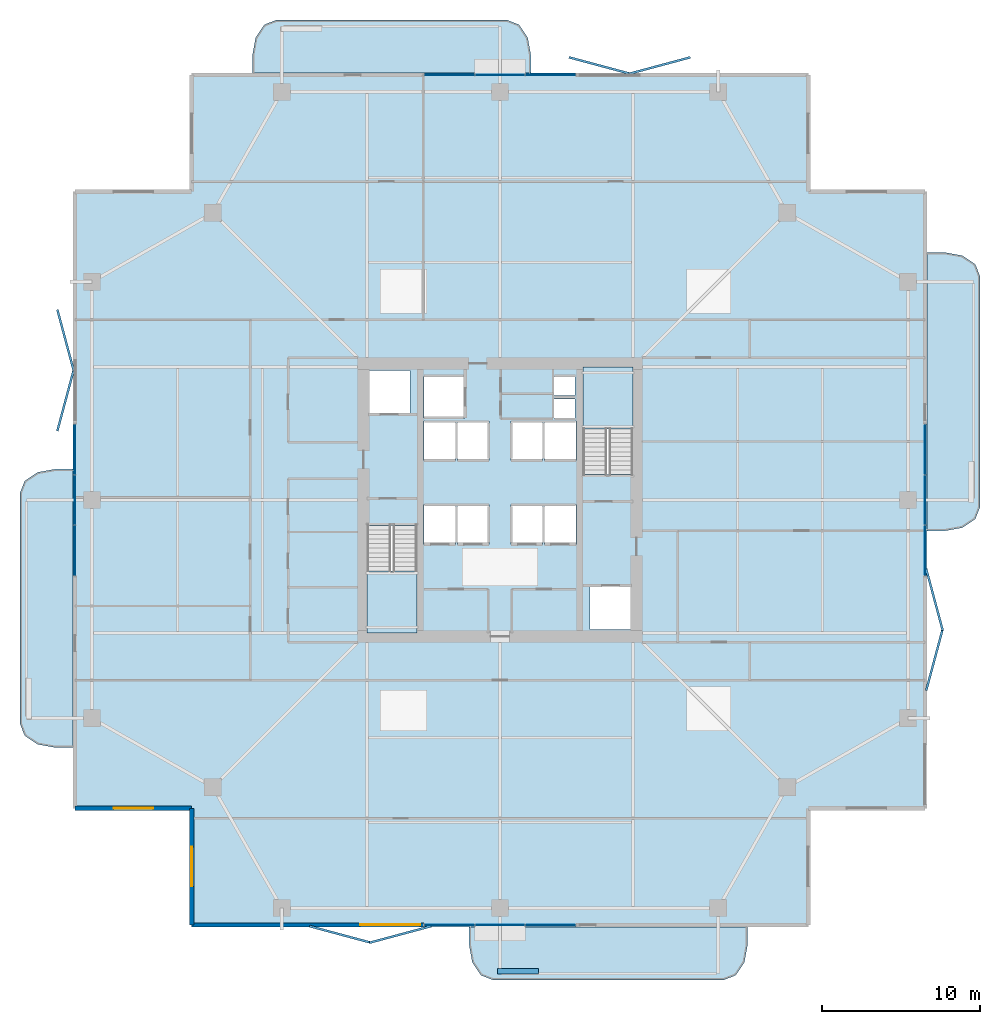
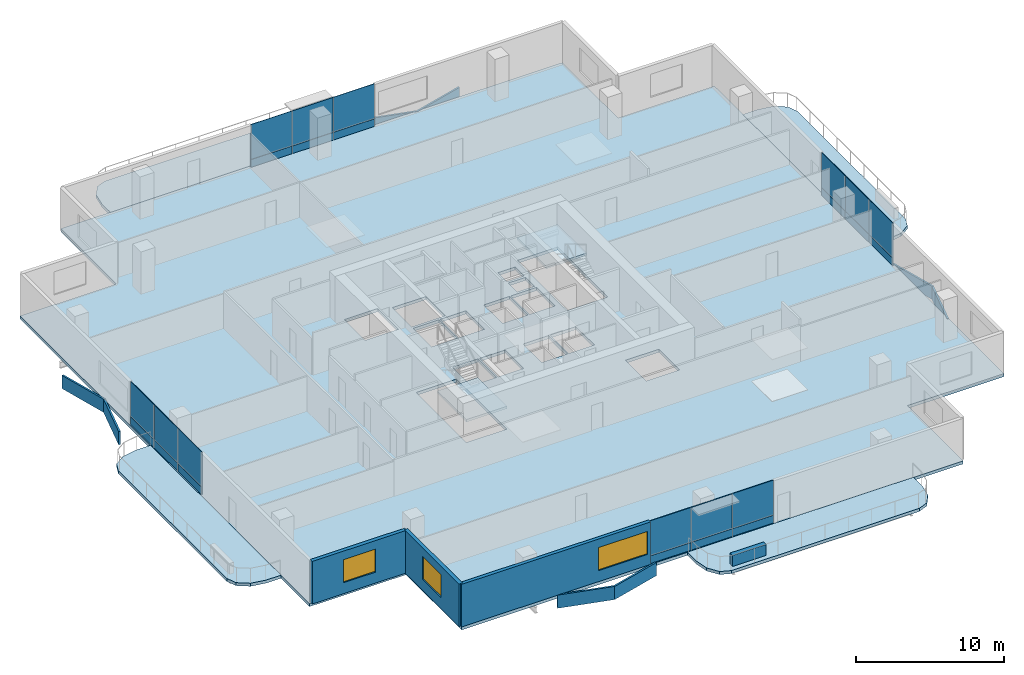
# One storey, part 16 of 24: 32 plates, 7 slabs, 4 walls, 3 windows, 3 openings, 6 elements without a shape of their own.
"""IFC4 building model written with IfcOpenShell, lengths in metres."""

from ifc_helpers import new_model, si_unit, direction, frame, frame_2d, origin, origin_2d, place, context, subcontext, project, spatial, polyline, rectangle, outline, extrude, material, layer, layer_set, type_object, element, fill, aggregate, save


model = new_model("IFC4")

# Units and contexts
model_context = context("Model", 3, precision=1e-05, world=origin(), true_north=direction((0.0, 1.0)))
body_context = subcontext(model_context, "Body", "Model", "MODEL_VIEW")
ifc_project = project(units=[si_unit("LENGTHUNIT", "METRE"), si_unit("AREAUNIT", "SQUARE_METRE"), si_unit("VOLUMEUNIT", "CUBIC_METRE"), si_unit("PLANEANGLEUNIT", "RADIAN"), si_unit("MASSUNIT", "GRAM", prefix="KILO")], contexts=[model_context])

# Site, building, storey
site_placement = place(None, origin())
site = spatial("IfcSite", under=ifc_project, at=site_placement, CompositionType="ELEMENT")
building_placement = place(site_placement, origin())
building = spatial("IfcBuilding", under=site, at=building_placement, Name="Belovzor Exchange Tower", CompositionType="ELEMENT")
storey_placement = place(building_placement, frame((0.0, 0.0, 222.449951171875)))
storey = spatial("IfcBuildingStorey", under=building, at=storey_placement, Name="L55", CompositionType="ELEMENT", Elevation=222.449951171875)

# Slab
ifc_material_1 = material(Name="Concrete C40/50", Category="concrete")
ifc_layer_1 = layer(ifc_material_1, 0.25)
ifc_layer_set_1 = layer_set([ifc_layer_1], Name="Concrete C40/50")
slab_type_1 = type_object("IfcSlabType", Name="Composite Concrete Floor Deck Slab 250", PredefinedType="FLOOR", material=ifc_layer_set_1)
slab_1_placement = place(storey_placement, frame((0.0, 0.0, -0.25)))
element("IfcSlab", 1, at=slab_1_placement, inside=storey, type_object=slab_type_1, Name="SL-F250 Structural Slab L55", PredefinedType="FLOOR", context=body_context, shape_type="SweptSolid", body=[
    extrude(outline(polyline([(9.300048828125, 1.800048828125), (48.300048828125, 1.800048828125), (48.300048828125, 9.300048828125), (55.800048828125, 9.300048828125), (55.800048828125, 48.300048828125), (48.300048828125, 48.300048828125), (48.300048828125, 55.800048828125), (9.300048828125, 55.800048828125), (9.300048828125, 48.300048828125), (1.800048828125, 48.300048828125), (1.800048828125, 9.300048828125), (9.300048828125, 9.300048828125), (9.300048828125, 1.800048828125)]), holes=[polyline([(20.39990234375, 27.175048828125), (20.39990234375, 20.39990234375), (23.550048828125, 20.39990234375), (23.550048828125, 27.175048828125), (20.39990234375, 27.175048828125)]), polyline([(37.199951171875, 30.425048828125), (37.199951171875, 37.199951171875), (34.050048828125, 37.199951171875), (34.050048828125, 30.425048828125), (37.199951171875, 30.425048828125)]), polyline([(20.5, 34.199951171875), (23.10009765625, 34.199951171875), (23.10009765625, 37.0), (20.5, 37.0), (20.5, 34.199951171875)]), polyline([(34.5, 20.60009765625), (37.10009765625, 20.60009765625), (37.10009765625, 23.39990234375), (34.5, 23.39990234375), (34.5, 20.60009765625)]), polyline([(24.0, 34.0), (26.60009765625, 34.0), (26.60009765625, 36.60009765625), (24.0, 36.60009765625), (24.0, 34.0)]), polyline([(24.0, 26.0), (26.0, 26.0), (26.0, 28.5), (24.0, 28.5), (24.0, 26.0)]), polyline([(26.10009765625, 26.0), (28.10009765625, 26.0), (28.10009765625, 28.5), (26.10009765625, 28.5), (26.10009765625, 26.0)]), polyline([(29.5, 26.0), (31.5, 26.0), (31.5, 28.5), (29.5, 28.5), (29.5, 26.0)]), polyline([(31.60009765625, 26.0), (33.60009765625, 26.0), (33.60009765625, 28.5), (31.60009765625, 28.5), (31.60009765625, 26.0)]), polyline([(24.0, 31.300048828125), (26.0, 31.300048828125), (26.0, 33.800048828125), (24.0, 33.800048828125), (24.0, 31.300048828125)]), polyline([(26.10009765625, 31.300048828125), (28.10009765625, 31.300048828125), (28.10009765625, 33.800048828125), (26.10009765625, 33.800048828125), (26.10009765625, 31.300048828125)]), polyline([(29.5, 31.300048828125), (31.5, 31.300048828125), (31.5, 33.800048828125), (29.5, 33.800048828125), (29.5, 31.300048828125)]), polyline([(31.60009765625, 31.300048828125), (33.60009765625, 31.300048828125), (33.60009765625, 33.800048828125), (31.60009765625, 33.800048828125), (31.60009765625, 31.300048828125)]), polyline([(32.199951171875, 34.0), (33.550048828125, 34.0), (33.550048828125, 35.199951171875), (32.199951171875, 35.199951171875), (32.199951171875, 34.0)]), polyline([(32.199951171875, 35.39990234375), (33.550048828125, 35.39990234375), (33.550048828125, 36.60009765625), (32.199951171875, 36.60009765625), (32.199951171875, 35.39990234375)])]), origin(), (0.0, 0.0, 1.0), 0.25),
])

# Curtain wall, plates
ifc_material_2 = material(Name="Anodised Aluminium Framing", Category="aluminium")
ifc_layer_2 = layer(ifc_material_2, 0.179931640625)
ifc_layer_set_2 = layer_set([ifc_layer_2], Name="Anodised Aluminium Framing")
curtain_wall_type = type_object("IfcCurtainWallType", Name="Recessed Loggia Low-Iron Triple-Glazed Curtain Wall", PredefinedType="NOTDEFINED", material=ifc_layer_set_2)
curtain_wall_1_placement = place(storey_placement, origin())
curtain_wall_1 = element("IfcCurtainWall", 2, at=curtain_wall_1_placement, inside=storey, type_object=curtain_wall_type, Name="CW3 Recessed Loggia Low-Iron Triple-Glazed Curtain Wall L55", PredefinedType="NOTDEFINED")
ifc_material_3 = material(Name="Solar-Control Triple Glazing", Category="glass")
ifc_layer_3 = layer(ifc_material_3, 0.0439453125)
ifc_layer_set_3 = layer_set([ifc_layer_3], Name="Solar-Control Triple Glazing")
plate_type_1 = type_object("IfcPlateType", Name="Insulated Solar Glazing Curtain Panel 44", PredefinedType="CURTAIN_PANEL", material=ifc_layer_set_3)
plate_1_placement = place(storey_placement, frame((32.0, 1.929931640625, 0.63232421875), z_axis=(0.0, 0.0, 1.0), x_axis=(-1.0, 0.0, 0.0)))
plate_1 = element("IfcPlate", 3, at=plate_1_placement, type_object=plate_type_1, Name="GLZ-44 Glazed Curtain Panel 1", PredefinedType="CURTAIN_PANEL", context=body_context, shape_type="SweptSolid", body=[
    extrude(rectangle(XDim=3.18408203125, YDim=0.0439453125, at=origin_2d()), origin(), (0.0, 0.0, 1.0), 2.867919921875),
])
plate_2_placement = place(storey_placement, frame((28.800048828125, 1.929931640625, 0.63232421875), z_axis=(0.0, 0.0, 1.0), x_axis=(-1.0, 0.0, 0.0)))
plate_2 = element("IfcPlate", 4, at=plate_2_placement, type_object=plate_type_1, Name="GLZ-44 Glazed Curtain Panel 2", PredefinedType="CURTAIN_PANEL", context=body_context, shape_type="SweptSolid", body=[
    extrude(rectangle(XDim=3.18408203125, YDim=0.0439453125, at=origin_2d()), origin(), (0.0, 0.0, 1.0), 2.867919921875),
])
plate_3_placement = place(storey_placement, frame((25.60009765625, 1.929931640625, 0.63232421875), z_axis=(0.0, 0.0, 1.0), x_axis=(-1.0, 0.0, 0.0)))
plate_3 = element("IfcPlate", 5, at=plate_3_placement, type_object=plate_type_1, Name="GLZ-44 Glazed Curtain Panel 3", PredefinedType="CURTAIN_PANEL", context=body_context, shape_type="SweptSolid", body=[
    extrude(rectangle(XDim=3.18408203125, YDim=0.0439453125, at=origin_2d()), origin(), (0.0, 0.0, 1.0), 2.867919921875),
])

curtain_wall_2_placement = place(storey_placement, origin())
curtain_wall_2 = element("IfcCurtainWall", 6, at=curtain_wall_2_placement, inside=storey, type_object=curtain_wall_type, Name="CW3 Recessed Loggia Low-Iron Triple-Glazed Curtain Wall L55", PredefinedType="NOTDEFINED")
plate_4_placement = place(storey_placement, frame((25.60009765625, 55.669921875, 0.63232421875), z_axis=(0.0, 0.0, 1.0), x_axis=(1.0, 0.0, 0.0)))
plate_4 = element("IfcPlate", 7, at=plate_4_placement, type_object=plate_type_1, Name="GLZ-44 Glazed Curtain Panel 1", PredefinedType="CURTAIN_PANEL", context=body_context, shape_type="SweptSolid", body=[
    extrude(rectangle(XDim=3.18408203125, YDim=0.0439453125, at=origin_2d()), origin(), (0.0, 0.0, 1.0), 2.867919921875),
])
plate_5_placement = place(storey_placement, frame((28.800048828125, 55.669921875, 0.63232421875), z_axis=(0.0, 0.0, 1.0), x_axis=(1.0, 0.0, 0.0)))
plate_5 = element("IfcPlate", 8, at=plate_5_placement, type_object=plate_type_1, Name="GLZ-44 Glazed Curtain Panel 2", PredefinedType="CURTAIN_PANEL", context=body_context, shape_type="SweptSolid", body=[
    extrude(rectangle(XDim=3.18408203125, YDim=0.0439453125, at=origin_2d()), origin(), (0.0, 0.0, 1.0), 2.867919921875),
])
plate_6_placement = place(storey_placement, frame((32.0, 55.669921875, 0.63232421875), z_axis=(0.0, 0.0, 1.0), x_axis=(1.0, 0.0, 0.0)))
plate_6 = element("IfcPlate", 9, at=plate_6_placement, type_object=plate_type_1, Name="GLZ-44 Glazed Curtain Panel 3", PredefinedType="CURTAIN_PANEL", context=body_context, shape_type="SweptSolid", body=[
    extrude(rectangle(XDim=3.18408203125, YDim=0.0439453125, at=origin_2d()), origin(), (0.0, 0.0, 1.0), 2.867919921875),
])

curtain_wall_3_placement = place(storey_placement, origin())
curtain_wall_3 = element("IfcCurtainWall", 10, at=curtain_wall_3_placement, inside=storey, type_object=curtain_wall_type, Name="CW3 Recessed Loggia Low-Iron Triple-Glazed Curtain Wall L55", PredefinedType="NOTDEFINED")
plate_7_placement = place(storey_placement, frame((1.929931640625, 25.60009765625, 0.63232421875), z_axis=(0.0, 0.0, 1.0), x_axis=(0.0, 1.0, 0.0)))
plate_7 = element("IfcPlate", 11, at=plate_7_placement, type_object=plate_type_1, Name="GLZ-44 Glazed Curtain Panel 1", PredefinedType="CURTAIN_PANEL", context=body_context, shape_type="SweptSolid", body=[
    extrude(rectangle(XDim=3.18408203125, YDim=0.0439453125, at=origin_2d()), origin(), (0.0, 0.0, 1.0), 2.867919921875),
])
plate_8_placement = place(storey_placement, frame((1.929931640625, 28.800048828125, 0.63232421875), z_axis=(0.0, 0.0, 1.0), x_axis=(0.0, 1.0, 0.0)))
plate_8 = element("IfcPlate", 12, at=plate_8_placement, type_object=plate_type_1, Name="GLZ-44 Glazed Curtain Panel 2", PredefinedType="CURTAIN_PANEL", context=body_context, shape_type="SweptSolid", body=[
    extrude(rectangle(XDim=3.18408203125, YDim=0.0439453125, at=origin_2d()), origin(), (0.0, 0.0, 1.0), 2.867919921875),
])
plate_9_placement = place(storey_placement, frame((1.929931640625, 32.0, 0.63232421875), z_axis=(0.0, 0.0, 1.0), x_axis=(0.0, 1.0, 0.0)))
plate_9 = element("IfcPlate", 13, at=plate_9_placement, type_object=plate_type_1, Name="GLZ-44 Glazed Curtain Panel 3", PredefinedType="CURTAIN_PANEL", context=body_context, shape_type="SweptSolid", body=[
    extrude(rectangle(XDim=3.18408203125, YDim=0.0439453125, at=origin_2d()), origin(), (0.0, 0.0, 1.0), 2.867919921875),
])

curtain_wall_4_placement = place(storey_placement, origin())
curtain_wall_4 = element("IfcCurtainWall", 14, at=curtain_wall_4_placement, inside=storey, type_object=curtain_wall_type, Name="CW3 Recessed Loggia Low-Iron Triple-Glazed Curtain Wall L55", PredefinedType="NOTDEFINED")
plate_10_placement = place(storey_placement, frame((55.669921875, 32.0, 0.63232421875), z_axis=(0.0, 0.0, 1.0), x_axis=(0.0, -1.0, 0.0)))
plate_10 = element("IfcPlate", 15, at=plate_10_placement, type_object=plate_type_1, Name="GLZ-44 Glazed Curtain Panel 1", PredefinedType="CURTAIN_PANEL", context=body_context, shape_type="SweptSolid", body=[
    extrude(rectangle(XDim=3.18408203125, YDim=0.0439453125, at=origin_2d()), origin(), (0.0, 0.0, 1.0), 2.867919921875),
])
plate_11_placement = place(storey_placement, frame((55.669921875, 28.800048828125, 0.63232421875), z_axis=(0.0, 0.0, 1.0), x_axis=(0.0, -1.0, 0.0)))
plate_11 = element("IfcPlate", 16, at=plate_11_placement, type_object=plate_type_1, Name="GLZ-44 Glazed Curtain Panel 2", PredefinedType="CURTAIN_PANEL", context=body_context, shape_type="SweptSolid", body=[
    extrude(rectangle(XDim=3.18408203125, YDim=0.0439453125, at=origin_2d()), origin(), (0.0, 0.0, 1.0), 2.867919921875),
])
plate_12_placement = place(storey_placement, frame((55.669921875, 25.60009765625, 0.63232421875), z_axis=(0.0, 0.0, 1.0), x_axis=(0.0, -1.0, 0.0)))
plate_12 = element("IfcPlate", 17, at=plate_12_placement, type_object=plate_type_1, Name="GLZ-44 Glazed Curtain Panel 3", PredefinedType="CURTAIN_PANEL", context=body_context, shape_type="SweptSolid", body=[
    extrude(rectangle(XDim=3.18408203125, YDim=0.0439453125, at=origin_2d()), origin(), (0.0, 0.0, 1.0), 2.867919921875),
])

# Plates
ifc_material_4 = material(Name="Extruded Architectural Terracotta", Category="masonry")
ifc_layer_4 = layer(ifc_material_4, 0.139892578125)
ifc_layer_set_4 = layer_set([ifc_layer_4], Name="Extruded Architectural Terracotta")
plate_type_2 = type_object("IfcPlateType", Name="Mid-Tower Folded Zigzag Terracotta Spandrel Louvre 120", PredefinedType="USERDEFINED", material=ifc_layer_set_4)
for number, where, z_axis, x_axis, name in (
    (18, (18.699951171875, 1.330078125, -1.06494140625), (0.0, 0.0, 1.0), (0.965812803231, -0.259240485101, 0.0), "LVR-ZZ2 Zigzag Terracotta Spandrel Louvre L55 S1A"),
    (19, (22.5, 1.330078125, -1.06494140625), (0.0, 0.0, 1.0), (0.965812803231, 0.259240485101, 0.0), "LVR-ZZ2 Zigzag Terracotta Spandrel Louvre L55 S1B"),
    (20, (56.27001953125, 18.699951171875, -1.06494140625), (0.0, 0.0, 1.0), (0.259240485101, 0.965812803231, 0.0), "LVR-ZZ2 Zigzag Terracotta Spandrel Louvre L55 E1A"),
    (21, (56.27001953125, 22.5, -1.06494140625), (0.0, 0.0, 1.0), (-0.259240485101, 0.965812803231, 0.0), "LVR-ZZ2 Zigzag Terracotta Spandrel Louvre L55 E1B"),
    (22, (35.10009765625, 56.27001953125, -1.06494140625), (0.0, 0.0, 1.0), (0.965812803231, -0.259240485101, 0.0), "LVR-ZZ2 Zigzag Terracotta Spandrel Louvre L55 N2A"),
    (23, (38.89990234375, 56.27001953125, -1.06494140625), (0.0, 0.0, 1.0), (0.965812803231, 0.259240485101, 0.0), "LVR-ZZ2 Zigzag Terracotta Spandrel Louvre L55 N2B"),
    (24, (1.330078125, 35.10009765625, -1.06494140625), (0.0, 0.0, 1.0), (0.259240485101, 0.965812803231, 0.0), "LVR-ZZ2 Zigzag Terracotta Spandrel Louvre L55 W2A"),
    (25, (1.330078125, 38.89990234375, -1.06494140625), (0.0, 0.0, 1.0), (-0.259240485101, 0.965812803231, 0.0), "LVR-ZZ2 Zigzag Terracotta Spandrel Louvre L55 W2B"),
):
    element("IfcPlate", number, at=place(storey_placement, frame(where, z_axis=z_axis, x_axis=x_axis)), inside=storey, type_object=plate_type_2, Name=name, ObjectType="SPANDREL_LOUVRE", PredefinedType="USERDEFINED", context=body_context, shape_type="SweptSolid", body=[
        extrude(rectangle(XDim=4.014892578125, YDim=0.139892578125, at=origin_2d()), origin(), (0.0, 0.0, 1.0), 1.080078125),
    ])

# Stair, slab
ifc_material_5 = material(Name="Concrete C40/50", Category="concrete")
stair_type = type_object("IfcStairType", Name="Reinforced Concrete Dogleg Escape Stair 1350", PredefinedType="HALF_TURN_STAIR", material=ifc_material_5)
stair_1_placement = place(storey_placement, origin())
stair_1 = element("IfcStair", 26, at=stair_1_placement, inside=storey, type_object=stair_type, Name="L55 ST-1", PredefinedType="HALF_TURN_STAIR")
ifc_material_6 = material(Name="Concrete C40/50", Category="concrete")
ifc_layer_5 = layer(ifc_material_6, 0.199951171875)
ifc_layer_set_5 = layer_set([ifc_layer_5], Name="Concrete C40/50")
slab_type_2 = type_object("IfcSlabType", Name="Reinforced Concrete Stair Half-Landing Slab 200", PredefinedType="LANDING", material=ifc_layer_set_5)
slab_2_placement = place(storey_placement, frame((0.0, 0.0, 1.675048828125)))
slab_2 = element("IfcSlab", 27, at=slab_2_placement, type_object=slab_type_2, Name="ST-1 landing 1", PredefinedType="LANDING", context=body_context, shape_type="SweptSolid", body=[
    extrude(outline(polyline([(20.39990234375, 24.300048828125), (20.39990234375, 20.39990234375), (23.550048828125, 20.39990234375), (23.550048828125, 24.300048828125), (20.39990234375, 24.300048828125)])), origin(), (0.0, 0.0, 1.0), 0.199951171875),
])
aggregate(stair_1, [slab_2])

stair_2_placement = place(storey_placement, origin())
stair_2 = element("IfcStair", 28, at=stair_2_placement, inside=storey, type_object=stair_type, Name="L55 ST-2", PredefinedType="HALF_TURN_STAIR")
slab_3_placement = place(storey_placement, frame((0.0, 0.0, 1.675048828125)))
slab_3 = element("IfcSlab", 29, at=slab_3_placement, type_object=slab_type_2, Name="ST-2 landing 1", PredefinedType="LANDING", context=body_context, shape_type="SweptSolid", body=[
    extrude(outline(polyline([(37.199951171875, 33.300048828125), (37.199951171875, 37.199951171875), (34.050048828125, 37.199951171875), (34.050048828125, 33.300048828125), (37.199951171875, 33.300048828125)])), origin(), (0.0, 0.0, 1.0), 0.199951171875),
])
aggregate(stair_2, [slab_3])

# Plate
ifc_material_7 = material(Name="Extruded Architectural Terracotta", Category="masonry")
ifc_layer_6 = layer(ifc_material_7, 0.090087890625)
ifc_layer_set_6 = layer_set([ifc_layer_6], Name="Extruded Architectural Terracotta")
plate_type_3 = type_object("IfcPlateType", Name="Terracotta Shadow-Box Spandrel Panel 90", PredefinedType="CURTAIN_PANEL", material=ifc_layer_set_6)
plate_13_placement = place(storey_placement, frame((32.0, 1.929931640625, 0.0), z_axis=(0.0, 0.0, 1.0), x_axis=(-1.0, 0.0, 0.0)))
plate_13 = element("IfcPlate", 30, at=plate_13_placement, type_object=plate_type_3, Name="SPD-90 Spandrel Panel 1", PredefinedType="CURTAIN_PANEL", context=body_context, shape_type="SweptSolid", body=[
    extrude(rectangle(XDim=3.18408203125, YDim=0.090087890625, at=origin_2d()), origin(), (0.0, 0.0, 1.0), 0.6279296875),
])

plate_14_placement = place(storey_placement, frame((28.800048828125, 1.929931640625, 0.0), z_axis=(0.0, 0.0, 1.0), x_axis=(-1.0, 0.0, 0.0)))
plate_14 = element("IfcPlate", 31, at=plate_14_placement, type_object=plate_type_3, Name="SPD-90 Spandrel Panel 2", PredefinedType="CURTAIN_PANEL", context=body_context, shape_type="SweptSolid", body=[
    extrude(rectangle(XDim=3.18408203125, YDim=0.090087890625, at=origin_2d()), origin(), (0.0, 0.0, 1.0), 0.6279296875),
])

plate_15_placement = place(storey_placement, frame((25.60009765625, 1.929931640625, 0.0), z_axis=(0.0, 0.0, 1.0), x_axis=(-1.0, 0.0, 0.0)))
plate_15 = element("IfcPlate", 32, at=plate_15_placement, type_object=plate_type_3, Name="SPD-90 Spandrel Panel 3", PredefinedType="CURTAIN_PANEL", context=body_context, shape_type="SweptSolid", body=[
    extrude(rectangle(XDim=3.18408203125, YDim=0.090087890625, at=origin_2d()), origin(), (0.0, 0.0, 1.0), 0.6279296875),
])

aggregate(curtain_wall_1, [plate_13, plate_1, plate_14, plate_2, plate_15, plate_3])

plate_16_placement = place(storey_placement, frame((25.60009765625, 55.669921875, 0.0), z_axis=(0.0, 0.0, 1.0), x_axis=(1.0, 0.0, 0.0)))
plate_16 = element("IfcPlate", 33, at=plate_16_placement, type_object=plate_type_3, Name="SPD-90 Spandrel Panel 1", PredefinedType="CURTAIN_PANEL", context=body_context, shape_type="SweptSolid", body=[
    extrude(rectangle(XDim=3.18408203125, YDim=0.090087890625, at=origin_2d()), origin(), (0.0, 0.0, 1.0), 0.6279296875),
])

plate_17_placement = place(storey_placement, frame((28.800048828125, 55.669921875, 0.0), z_axis=(0.0, 0.0, 1.0), x_axis=(1.0, 0.0, 0.0)))
plate_17 = element("IfcPlate", 34, at=plate_17_placement, type_object=plate_type_3, Name="SPD-90 Spandrel Panel 2", PredefinedType="CURTAIN_PANEL", context=body_context, shape_type="SweptSolid", body=[
    extrude(rectangle(XDim=3.18408203125, YDim=0.090087890625, at=origin_2d()), origin(), (0.0, 0.0, 1.0), 0.6279296875),
])

plate_18_placement = place(storey_placement, frame((32.0, 55.669921875, 0.0), z_axis=(0.0, 0.0, 1.0), x_axis=(1.0, 0.0, 0.0)))
plate_18 = element("IfcPlate", 35, at=plate_18_placement, type_object=plate_type_3, Name="SPD-90 Spandrel Panel 3", PredefinedType="CURTAIN_PANEL", context=body_context, shape_type="SweptSolid", body=[
    extrude(rectangle(XDim=3.18408203125, YDim=0.090087890625, at=origin_2d()), origin(), (0.0, 0.0, 1.0), 0.6279296875),
])

aggregate(curtain_wall_2, [plate_16, plate_4, plate_17, plate_5, plate_18, plate_6])

plate_19_placement = place(storey_placement, frame((1.929931640625, 25.60009765625, 0.0), z_axis=(0.0, 0.0, 1.0), x_axis=(0.0, 1.0, 0.0)))
plate_19 = element("IfcPlate", 36, at=plate_19_placement, type_object=plate_type_3, Name="SPD-90 Spandrel Panel 1", PredefinedType="CURTAIN_PANEL", context=body_context, shape_type="SweptSolid", body=[
    extrude(rectangle(XDim=3.18408203125, YDim=0.090087890625, at=origin_2d()), origin(), (0.0, 0.0, 1.0), 0.6279296875),
])

plate_20_placement = place(storey_placement, frame((1.929931640625, 28.800048828125, 0.0), z_axis=(0.0, 0.0, 1.0), x_axis=(0.0, 1.0, 0.0)))
plate_20 = element("IfcPlate", 37, at=plate_20_placement, type_object=plate_type_3, Name="SPD-90 Spandrel Panel 2", PredefinedType="CURTAIN_PANEL", context=body_context, shape_type="SweptSolid", body=[
    extrude(rectangle(XDim=3.18408203125, YDim=0.090087890625, at=origin_2d()), origin(), (0.0, 0.0, 1.0), 0.6279296875),
])

plate_21_placement = place(storey_placement, frame((1.929931640625, 32.0, 0.0), z_axis=(0.0, 0.0, 1.0), x_axis=(0.0, 1.0, 0.0)))
plate_21 = element("IfcPlate", 38, at=plate_21_placement, type_object=plate_type_3, Name="SPD-90 Spandrel Panel 3", PredefinedType="CURTAIN_PANEL", context=body_context, shape_type="SweptSolid", body=[
    extrude(rectangle(XDim=3.18408203125, YDim=0.090087890625, at=origin_2d()), origin(), (0.0, 0.0, 1.0), 0.6279296875),
])

aggregate(curtain_wall_3, [plate_19, plate_7, plate_20, plate_8, plate_21, plate_9])

plate_22_placement = place(storey_placement, frame((55.669921875, 32.0, 0.0), z_axis=(0.0, 0.0, 1.0), x_axis=(0.0, -1.0, 0.0)))
plate_22 = element("IfcPlate", 39, at=plate_22_placement, type_object=plate_type_3, Name="SPD-90 Spandrel Panel 1", PredefinedType="CURTAIN_PANEL", context=body_context, shape_type="SweptSolid", body=[
    extrude(rectangle(XDim=3.18408203125, YDim=0.090087890625, at=origin_2d()), origin(), (0.0, 0.0, 1.0), 0.6279296875),
])

plate_23_placement = place(storey_placement, frame((55.669921875, 28.800048828125, 0.0), z_axis=(0.0, 0.0, 1.0), x_axis=(0.0, -1.0, 0.0)))
plate_23 = element("IfcPlate", 40, at=plate_23_placement, type_object=plate_type_3, Name="SPD-90 Spandrel Panel 2", PredefinedType="CURTAIN_PANEL", context=body_context, shape_type="SweptSolid", body=[
    extrude(rectangle(XDim=3.18408203125, YDim=0.090087890625, at=origin_2d()), origin(), (0.0, 0.0, 1.0), 0.6279296875),
])

plate_24_placement = place(storey_placement, frame((55.669921875, 25.60009765625, 0.0), z_axis=(0.0, 0.0, 1.0), x_axis=(0.0, -1.0, 0.0)))
plate_24 = element("IfcPlate", 41, at=plate_24_placement, type_object=plate_type_3, Name="SPD-90 Spandrel Panel 3", PredefinedType="CURTAIN_PANEL", context=body_context, shape_type="SweptSolid", body=[
    extrude(rectangle(XDim=3.18408203125, YDim=0.090087890625, at=origin_2d()), origin(), (0.0, 0.0, 1.0), 0.6279296875),
])

aggregate(curtain_wall_4, [plate_22, plate_10, plate_23, plate_11, plate_24, plate_12])

# Slabs
ifc_material_8 = material(Name="Concrete C40/50", Category="concrete")
ifc_layer_7 = layer(ifc_material_8, 0.25)
ifc_layer_set_7 = layer_set([ifc_layer_7], Name="Concrete C40/50")
slab_type_3 = type_object("IfcSlabType", Name="Thermally Broken Planted Balcony Slab 250", PredefinedType="FLOOR", material=ifc_layer_set_7)
slab_4_placement = place(storey_placement, frame((0.0, 0.0, -0.25)))
element("IfcSlab", 42, at=slab_4_placement, inside=storey, type_object=slab_type_3, Name="SL-BAL220 Planted Balcony Loggia L55 South", PredefinedType="FLOOR", context=body_context, shape_type="SweptSolid", body=[
    extrude(outline(polyline([(26.85009765625, 1.81494140625), (26.85009765625, 0.64990234375), (27.051025390625, -0.449951171875), (27.60009765625, -1.2548828125), (28.35009765625, -1.550048828125), (42.949951171875, -1.550048828125), (43.699951171875, -1.2548828125), (44.2490234375, -0.449951171875), (44.449951171875, 0.64990234375), (44.449951171875, 1.81494140625), (26.85009765625, 1.81494140625)])), origin(), (0.0, 0.0, 1.0), 0.25),
])
slab_5_placement = place(storey_placement, frame((0.0, 0.0, -0.25)))
element("IfcSlab", 43, at=slab_5_placement, inside=storey, type_object=slab_type_3, Name="SL-BAL220 Planted Balcony Loggia L55 North", PredefinedType="FLOOR", context=body_context, shape_type="SweptSolid", body=[
    extrude(outline(polyline([(30.75, 55.784912109375), (30.75, 56.949951171875), (30.549072265625, 58.050048828125), (30.0, 58.85498046875), (29.25, 59.14990234375), (14.64990234375, 59.14990234375), (13.89990234375, 58.85498046875), (13.35107421875, 58.050048828125), (13.14990234375, 56.949951171875), (13.14990234375, 55.784912109375), (30.75, 55.784912109375)])), origin(), (0.0, 0.0, 1.0), 0.25),
])
slab_6_placement = place(storey_placement, frame((0.0, 0.0, -0.25)))
element("IfcSlab", 44, at=slab_6_placement, inside=storey, type_object=slab_type_3, Name="SL-BAL220 Planted Balcony Loggia L55 East", PredefinedType="FLOOR", context=body_context, shape_type="SweptSolid", body=[
    extrude(outline(polyline([(55.784912109375, 26.85009765625), (56.949951171875, 26.85009765625), (58.050048828125, 27.051025390625), (58.85498046875, 27.60009765625), (59.14990234375, 28.35009765625), (59.14990234375, 42.949951171875), (58.85498046875, 43.699951171875), (58.050048828125, 44.2490234375), (56.949951171875, 44.449951171875), (55.784912109375, 44.449951171875), (55.784912109375, 26.85009765625)])), origin(), (0.0, 0.0, 1.0), 0.25),
])
slab_7_placement = place(storey_placement, frame((0.0, 0.0, -0.25)))
element("IfcSlab", 45, at=slab_7_placement, inside=storey, type_object=slab_type_3, Name="SL-BAL220 Planted Balcony Loggia L55 West", PredefinedType="FLOOR", context=body_context, shape_type="SweptSolid", body=[
    extrude(outline(polyline([(1.81494140625, 30.75), (0.64990234375, 30.75), (-0.449951171875, 30.549072265625), (-1.2548828125, 30.0), (-1.550048828125, 29.25), (-1.550048828125, 14.64990234375), (-1.2548828125, 13.89990234375), (-0.449951171875, 13.35107421875), (0.64990234375, 13.14990234375), (1.81494140625, 13.14990234375), (1.81494140625, 30.75)])), origin(), (0.0, 0.0, 1.0), 0.25),
])

# Wall, opening, window
ifc_material_9 = material(Name="Precast concrete C40/50", Category="concrete")
ifc_layer_8 = layer(ifc_material_9, 0.280029296875)
ifc_layer_set_8 = layer_set([ifc_layer_8], Name="Precast concrete C40/50")
wall_type_1 = type_object("IfcWallType", Name="Precast Concrete Notched Corner Frame Wall 280", PredefinedType="SOLIDWALL", material=ifc_layer_set_8)
wall_1_placement = place(storey_placement, frame((9.300048828125, 1.929931640625, 0.0), z_axis=(0.0, 0.0, 1.0), x_axis=(0.0, 1.0, 0.0)))
wall_1 = element("IfcWall", 46, at=wall_1_placement, inside=storey, type_object=wall_type_1, Name="W-CRN280 Precast Concrete Notched Corner Frame Wall 280 L55", PredefinedType="SOLIDWALL", context=body_context, shape_type="SweptSolid", body=[
    extrude(rectangle(XDim=7.3701171875, YDim=0.280029296875, at=frame_2d((3.68505859375, 0.0))), origin(), (0.0, 0.0, 1.0), 3.5),
])
opening_1_placement = place(wall_1_placement, frame((2.43505859375, 0.0, 0.89990234375)))
opening_1 = element("IfcOpeningElement", 47, at=opening_1_placement, cuts=wall_1, Name="Opening WN-CRN250", PredefinedType="OPENING", context=body_context, shape_type="SweptSolid", body=[
    extrude(rectangle(XDim=2.5, YDim=1.89990234375, at=frame_2d((1.25, 0.949951171875))), frame((0.0, 0.14990234375, 0.0), z_axis=(0.0, -1.0, 0.0), x_axis=(1.0, 0.0, 0.0)), (0.0, 0.0, 1.0), 0.300048828125),
])
ifc_material_10 = material(Name="Thermally Broken Aluminium and Triple Glazing", Category="aluminium")
window_type_1 = type_object("IfcWindowType", Name="Streamline Moderne Corner Wrap Ribbon Window 2500x1900", PartitioningType="SINGLE_PANEL", PredefinedType="WINDOW", material=ifc_material_10)
window_1_placement = place(opening_1_placement, origin())
window_1 = element("IfcWindow", 48, at=window_1_placement, inside=storey, type_object=window_type_1, Name="WN-CRN250 Streamline Moderne Corner Wrap Ribbon Window 2500x1900", OverallHeight=1.89990234375, OverallWidth=2.5, PartitioningType="SINGLE_PANEL", PredefinedType="WINDOW", context=body_context, shape_type="SweptSolid", body=[
    extrude(rectangle(XDim=2.5, YDim=1.89990234375, at=frame_2d((1.25, 0.949951171875))), frame((0.0, 0.030029296875, 0.0), z_axis=(0.0, -1.0, 0.0), x_axis=(1.0, 0.0, 0.0)), (0.0, 0.0, 1.0), 0.06005859375),
])
fill(opening_1, window_1)

wall_2_placement = place(storey_placement, frame((9.300048828125, 9.300048828125, 0.0), z_axis=(0.0, 0.0, 1.0), x_axis=(-1.0, 0.0, 0.0)))
wall_2 = element("IfcWall", 49, at=wall_2_placement, inside=storey, type_object=wall_type_1, Name="W-CRN280 Precast Concrete Notched Corner Frame Wall 280 L55", PredefinedType="SOLIDWALL", context=body_context, shape_type="SweptSolid", body=[
    extrude(rectangle(XDim=7.3701171875, YDim=0.280029296875, at=frame_2d((3.68505859375, 0.0))), origin(), (0.0, 0.0, 1.0), 3.5),
])
opening_2_placement = place(wall_2_placement, frame((2.43505859375, 0.0, 0.89990234375)))
opening_2 = element("IfcOpeningElement", 50, at=opening_2_placement, cuts=wall_2, Name="Opening WN-CRN250", PredefinedType="OPENING", context=body_context, shape_type="SweptSolid", body=[
    extrude(rectangle(XDim=2.5, YDim=1.89990234375, at=frame_2d((1.25, 0.949951171875))), frame((0.0, 0.14990234375, 0.0), z_axis=(0.0, -1.0, 0.0), x_axis=(1.0, 0.0, 0.0)), (0.0, 0.0, 1.0), 0.300048828125),
])
window_2_placement = place(opening_2_placement, origin())
window_2 = element("IfcWindow", 51, at=window_2_placement, inside=storey, type_object=window_type_1, Name="WN-CRN250 Streamline Moderne Corner Wrap Ribbon Window 2500x1900", OverallHeight=1.89990234375, OverallWidth=2.5, PartitioningType="SINGLE_PANEL", PredefinedType="WINDOW", context=body_context, shape_type="SweptSolid", body=[
    extrude(rectangle(XDim=2.5, YDim=1.89990234375, at=frame_2d((1.25, 0.949951171875))), frame((0.0, 0.030029296875, 0.0), z_axis=(0.0, -1.0, 0.0), x_axis=(1.0, 0.0, 0.0)), (0.0, 0.0, 1.0), 0.06005859375),
])
fill(opening_2, window_2)

ifc_material_11 = material(Name="Precast concrete C40/50", Category="concrete")
ifc_layer_9 = layer(ifc_material_11, 0.260009765625)
ifc_layer_set_9 = layer_set([ifc_layer_9], Name="Precast concrete C40/50")
wall_type_2 = type_object("IfcWallType", Name="Precast Concrete Perimeter Loggia Frame Wall 260", PredefinedType="SOLIDWALL", material=ifc_layer_set_9)
wall_3_placement = place(storey_placement, frame((24.0, 1.929931640625, 0.0), z_axis=(0.0, 0.0, 1.0), x_axis=(-1.0, 0.0, 0.0)))
wall_3 = element("IfcWall", 52, at=wall_3_placement, inside=storey, type_object=wall_type_2, Name="W-EXT260 Precast Concrete Perimeter Loggia Frame Wall 260 L55", PredefinedType="SOLIDWALL", context=body_context, shape_type="SweptSolid", body=[
    extrude(rectangle(XDim=14.699951171875, YDim=0.260009765625, at=frame_2d((7.35009765625, 0.0))), origin(), (0.0, 0.0, 1.0), 3.5),
])
opening_3_placement = place(wall_3_placement, frame((0.25, 0.0, 0.89990234375)))
opening_3 = element("IfcOpeningElement", 53, at=opening_3_placement, cuts=wall_3, Name="Opening WN-RIB380", PredefinedType="OPENING", context=body_context, shape_type="SweptSolid", body=[
    extrude(rectangle(XDim=3.800048828125, YDim=1.89990234375, at=frame_2d((1.89990234375, 0.949951171875))), frame((0.0, 0.139892578125, 0.0), z_axis=(0.0, -1.0, 0.0), x_axis=(1.0, 0.0, 0.0)), (0.0, 0.0, 1.0), 0.280029296875),
])
ifc_material_12 = material(Name="Thermally Broken Aluminium and Triple Glazing", Category="aluminium")
window_type_2 = type_object("IfcWindowType", Name="Streamline Moderne Horizontal Ribbon Window 3800x1900", PartitioningType="SINGLE_PANEL", PredefinedType="WINDOW", material=ifc_material_12)
window_3_placement = place(opening_3_placement, origin())
window_3 = element("IfcWindow", 54, at=window_3_placement, inside=storey, type_object=window_type_2, Name="WN-RIB380 Streamline Moderne Horizontal Ribbon Window 3800x1900", OverallHeight=1.89990234375, OverallWidth=3.800048828125, PartitioningType="SINGLE_PANEL", PredefinedType="WINDOW", context=body_context, shape_type="SweptSolid", body=[
    extrude(rectangle(XDim=3.800048828125, YDim=1.89990234375, at=frame_2d((1.89990234375, 0.949951171875))), frame((0.0, 0.030029296875, 0.0), z_axis=(0.0, -1.0, 0.0), x_axis=(1.0, 0.0, 0.0)), (0.0, 0.0, 1.0), 0.06005859375),
])
fill(opening_3, window_3)

# Wall
ifc_material_13 = material(Name="Precast concrete C40/50", Category="concrete")
ifc_layer_10 = layer(ifc_material_13, 0.35009765625)
ifc_layer_set_10 = layer_set([ifc_layer_10], Name="Precast concrete C40/50")
wall_type_3 = type_object("IfcWallType", Name="Precast Concrete Structural Tree Planter Trough 350", PredefinedType="PARAPET", material=ifc_layer_set_10)
wall_4_placement = place(storey_placement, frame((28.64990234375, -1.0, 0.0), z_axis=(0.0, 0.0, 1.0), x_axis=(1.0, 0.0, 0.0)))
element("IfcWall", 55, at=wall_4_placement, inside=storey, type_object=wall_type_3, Name="PT-350 Precast Concrete Structural Tree Planter Trough 350 L55", PredefinedType="PARAPET", context=body_context, shape_type="SweptSolid", body=[
    extrude(rectangle(XDim=2.60009765625, YDim=0.35009765625, at=frame_2d((1.300048828125, 0.0))), origin(), (0.0, 0.0, 1.0), 0.900146484375),
])

save(model, "model.ifc")
